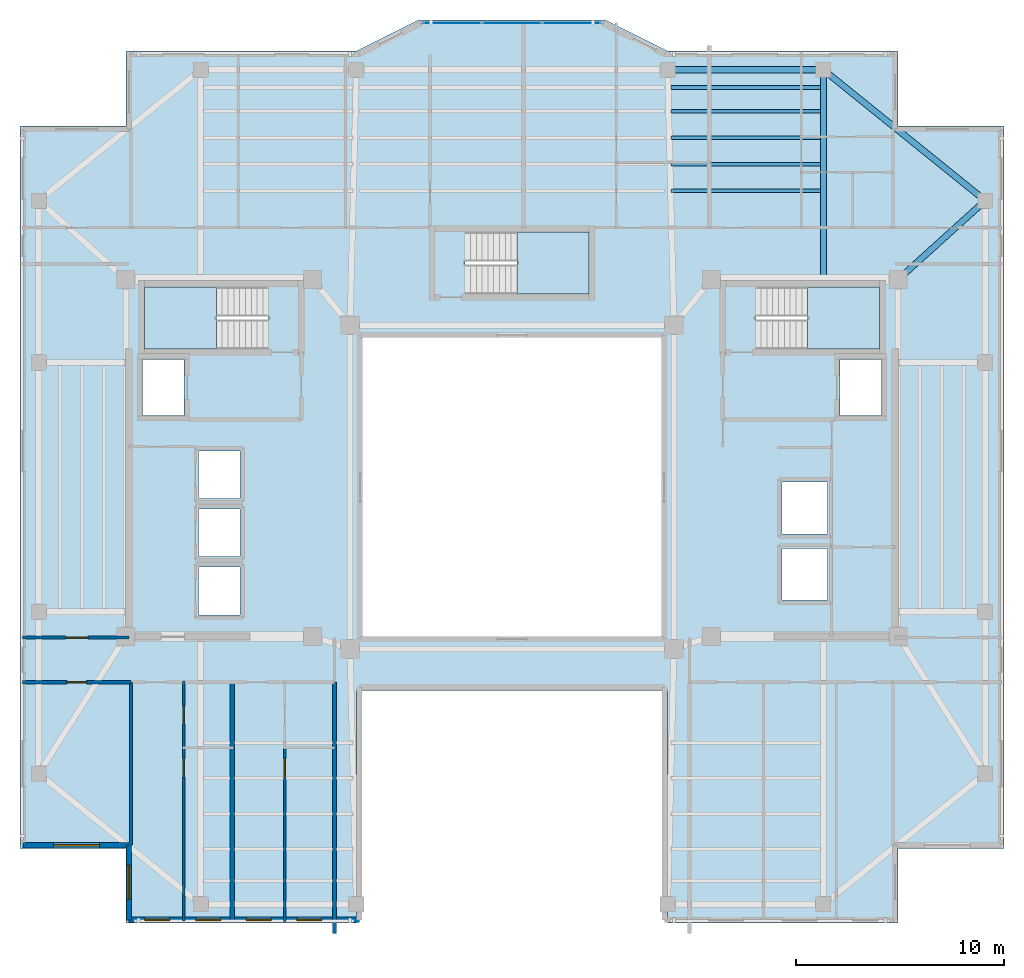
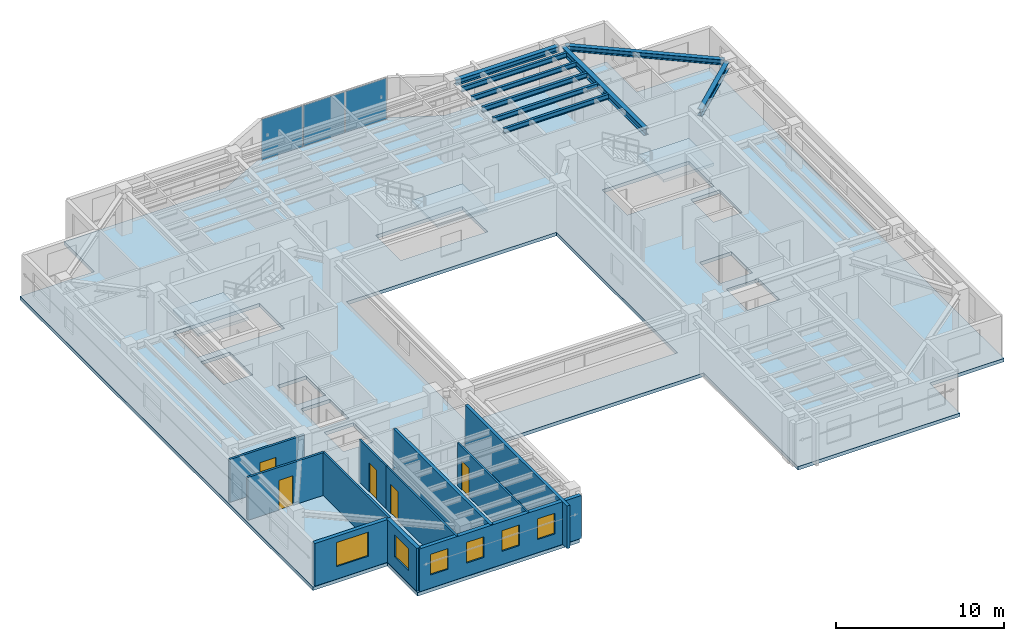
# One storey, part 3 of 11: 11 walls, 9 beams, 6 windows, 5 doors, 4 slabs, 3 plates, 11 openings, 4 elements without a shape of their own.
"""IFC4 building model written with IfcOpenShell, lengths in metres."""

from ifc_helpers import new_model, si_unit, direction, frame, frame_2d, origin, origin_2d, place, context, subcontext, project, spatial, polyline, rectangle, i_section, outline, extrude, material, layer, layer_set, material_profile, profile_set, type_object, element, fill, aggregate, save


model = new_model("IFC4")

# Units and contexts
model_context = context("Model", 3, precision=1e-05, world=origin(), true_north=direction((0.0, 1.0)))
body_context = subcontext(model_context, "Body", "Model", "MODEL_VIEW")
ifc_project = project(units=[si_unit("LENGTHUNIT", "METRE"), si_unit("AREAUNIT", "SQUARE_METRE"), si_unit("VOLUMEUNIT", "CUBIC_METRE"), si_unit("PLANEANGLEUNIT", "RADIAN"), si_unit("MASSUNIT", "GRAM", prefix="KILO")], contexts=[model_context])

# Site, building, storey
site_placement = place(None, origin())
site = spatial("IfcSite", under=ifc_project, at=site_placement, CompositionType="ELEMENT")
building_placement = place(site_placement, origin())
building = spatial("IfcBuilding", under=site, at=building_placement, Name="Tarnavaz Court Tower", CompositionType="ELEMENT")
storey_placement = place(building_placement, frame((0.0, 0.0, 213.699951171875)))
storey = spatial("IfcBuildingStorey", under=building, at=storey_placement, Name="L58", CompositionType="ELEMENT", Elevation=213.699951171875)

# Beams
ifc_material_1 = material(Name="Steel S355", Category="steel")
ifc_material_profile_1 = material_profile(ifc_material_1, i_section(OverallWidth=0.300048828125, OverallDepth=0.5, WebThickness=0.014404296875, FlangeThickness=0.028076171875, FilletRadius=0.027099609375, at=origin_2d()), Name="HEB 500")
ifc_profile_set_1 = profile_set([ifc_material_profile_1], Name="Steel S355")
beam_type_1 = type_object("IfcBeamType", Name="BM-G-HEB500", PredefinedType="USERDEFINED", material=ifc_profile_set_1)
beam_1_placement = place(storey_placement, frame((15.0, 10.0400390625, 2.85009765625), z_axis=(0.0, 1.0, 0.0), x_axis=(-1.0, 0.0, 0.0)))
element("IfcBeam", 1, at=beam_1_placement, inside=storey, type_object=beam_type_1, Name="L58 Beam RG-04", ObjectType="GIRDER", PredefinedType="USERDEFINED", context=body_context, shape_type="SweptSolid", body=[
    extrude(i_section(OverallWidth=0.300048828125, OverallDepth=0.5, WebThickness=0.014404296875, FlangeThickness=0.028076171875, FilletRadius=0.027099609375, at=origin_2d()), origin(), (0.0, 0.0, 1.0), 9.83984375),
])
beam_2_placement = place(storey_placement, frame((18.76318359375, 10.147705078125, 2.85009765625), z_axis=(0.741555708494, 0.670891296113, 0.0), x_axis=(-0.670891296113, 0.741555708494, 0.0)))
element("IfcBeam", 2, at=beam_2_placement, inside=storey, type_object=beam_type_1, Name="L58 Beam RG-12", ObjectType="GIRDER", PredefinedType="USERDEFINED", context=body_context, shape_type="SweptSolid", body=[
    extrude(i_section(OverallWidth=0.300048828125, OverallDepth=0.5, WebThickness=0.014404296875, FlangeThickness=0.028076171875, FilletRadius=0.027099609375, at=origin_2d()), origin(), (0.0, 0.0, 1.0), 5.223876953125),
])
ifc_material_profile_2 = material_profile(ifc_material_1, i_section(OverallWidth=0.169921875, OverallDepth=0.360107421875, WebThickness=0.008056640625, FlangeThickness=0.0126953125, FilletRadius=0.01806640625, at=origin_2d()), Name="IPE 360")
ifc_profile_set_2 = profile_set([ifc_material_profile_2], Name="Steel S355")
beam_type_2 = type_object("IfcBeamType", Name="BM-J-IPE360", PredefinedType="JOIST", material=ifc_profile_set_2)
for number, where, z_axis, x_axis, name in (
    (3, (7.64990234375, 14.278076171875, 2.920166015625), (1.0, 0.0, 0.0), (0.0, 1.0, 0.0), "L58 Beam JN1-3"),
    (4, (7.64990234375, 15.555908203125, 2.920166015625), (1.0, 0.0, 0.0), (0.0, 1.0, 0.0), "L58 Beam JN2-3"),
    (5, (7.64990234375, 16.833984375, 2.920166015625), (1.0, 0.0, 0.0), (0.0, 1.0, 0.0), "L58 Beam JN3-3"),
    (6, (7.64990234375, 18.112060546875, 2.920166015625), (1.0, 0.0, 0.0), (0.0, 1.0, 0.0), "L58 Beam JN4-3"),
    (7, (7.64990234375, 19.248046875, 2.920166015625), (1.0, 0.0, 0.0), (0.0, 1.0, 0.0), "L58 Beam JN5-3"),
):
    element("IfcBeam", number, at=place(storey_placement, frame(where, z_axis=z_axis, x_axis=x_axis)), inside=storey, type_object=beam_type_2, Name=name, PredefinedType="JOIST", context=body_context, shape_type="SweptSolid", body=[
        extrude(i_section(OverallWidth=0.169921875, OverallDepth=0.360107421875, WebThickness=0.008056640625, FlangeThickness=0.0126953125, FilletRadius=0.01806640625, at=origin_2d()), origin(), (0.0, 0.0, 1.0), 7.2001953125),
    ])
ifc_material_profile_3 = material_profile(ifc_material_1, i_section(OverallWidth=0.300048828125, OverallDepth=0.389892578125, WebThickness=0.010986328125, FlangeThickness=0.01904296875, FilletRadius=0.027099609375, at=origin_2d()), Name="HEA 400")
ifc_profile_set_3 = profile_set([ifc_material_profile_3], Name="Steel S355")
beam_type_3 = type_object("IfcBeamType", Name="BM-SP-HEA400", PredefinedType="BEAM", material=ifc_profile_set_3)
beam_3_placement = place(storey_placement, frame((7.719970703125, 20.10009765625, 2.905029296875), z_axis=(1.0, 0.0, 0.0), x_axis=(0.0, 1.0, 0.0)))
element("IfcBeam", 8, at=beam_3_placement, inside=storey, type_object=beam_type_3, Name="L58 Beam PR-PN-3-PN-4", PredefinedType="BEAM", context=body_context, shape_type="SweptSolid", body=[
    extrude(i_section(OverallWidth=0.300048828125, OverallDepth=0.389892578125, WebThickness=0.010986328125, FlangeThickness=0.01904296875, FilletRadius=0.027099609375, at=origin_2d()), origin(), (0.0, 0.0, 1.0), 7.06005859375),
])
beam_4_placement = place(storey_placement, frame((15.171142578125, 19.9619140625, 2.905029296875), z_axis=(0.777935913531, -0.628343627674, 0.0), x_axis=(0.628343627674, 0.777935913531, 0.0)))
element("IfcBeam", 9, at=beam_4_placement, inside=storey, type_object=beam_type_3, Name="L58 Beam PR-PN-4-PE-4", PredefinedType="BEAM", context=body_context, shape_type="SweptSolid", body=[
    extrude(i_section(OverallWidth=0.300048828125, OverallDepth=0.389892578125, WebThickness=0.010986328125, FlangeThickness=0.01904296875, FilletRadius=0.027099609375, at=origin_2d()), origin(), (0.0, 0.0, 1.0), 9.586669921875),
])

# Curtain wall, plates
ifc_material_2 = material(Name="Anodised Aluminium 6063-T6 and Solar Low-E Glazing", Category="aluminium")
ifc_layer_1 = layer(ifc_material_2, 0.159912109375)
ifc_layer_set_1 = layer_set([ifc_layer_1], Name="Anodised Aluminium 6063-T6 and Solar Low-E Glazing")
curtain_wall_type = type_object("IfcCurtainWallType", Name="CW-SYS-03", PredefinedType="NOTDEFINED", material=ifc_layer_set_1)
curtain_wall_placement = place(storey_placement, origin())
curtain_wall = element("IfcCurtainWall", 10, at=curtain_wall_placement, inside=storey, type_object=curtain_wall_type, Name="L58 Iwan Prow Curtain Wall 7", PredefinedType="NOTDEFINED")
ifc_material_3 = material(Name="Double-Glazed Solar Low-E Glass", Category="glass")
ifc_layer_2 = layer(ifc_material_3, 0.028076171875)
ifc_layer_set_2 = layer_set([ifc_layer_2], Name="Double-Glazed Solar Low-E Glass")
plate_type = type_object("IfcPlateType", Name="CW-PAN-GLZ28", PredefinedType="CURTAIN_PANEL", material=ifc_layer_set_2)
plate_1_placement = place(storey_placement, frame((-2.88134765625, 22.35009765625, 0.06494140625), z_axis=(0.0, 0.0, 1.0), x_axis=(1.0, 0.0, 0.0)))
plate_1 = element("IfcPlate", 11, at=plate_1_placement, type_object=plate_type, Name="CW panel 1.1", PredefinedType="CURTAIN_PANEL", context=body_context, shape_type="SweptSolid", body=[
    extrude(rectangle(XDim=2.78759765625, YDim=0.028076171875, at=origin_2d()), origin(), (0.0, 0.0, 1.0), 2.969970703125),
])
plate_2_placement = place(storey_placement, frame((0.0, 22.35009765625, 0.06494140625), z_axis=(0.0, 0.0, 1.0), x_axis=(1.0, 0.0, 0.0)))
plate_2 = element("IfcPlate", 12, at=plate_2_placement, type_object=plate_type, Name="CW panel 2.1", PredefinedType="CURTAIN_PANEL", context=body_context, shape_type="SweptSolid", body=[
    extrude(rectangle(XDim=2.824951171875, YDim=0.028076171875, at=origin_2d()), origin(), (0.0, 0.0, 1.0), 2.969970703125),
])
plate_3_placement = place(storey_placement, frame((2.88134765625, 22.35009765625, 0.06494140625), z_axis=(0.0, 0.0, 1.0), x_axis=(1.0, 0.0, 0.0)))
plate_3 = element("IfcPlate", 13, at=plate_3_placement, type_object=plate_type, Name="CW panel 3.1", PredefinedType="CURTAIN_PANEL", context=body_context, shape_type="SweptSolid", body=[
    extrude(rectangle(XDim=2.78759765625, YDim=0.028076171875, at=origin_2d()), origin(), (0.0, 0.0, 1.0), 2.969970703125),
])
aggregate(curtain_wall, [plate_1, plate_2, plate_3])

# Stair, slab
ifc_material_4 = material(Name="Concrete C40/50", Category="concrete")
stair_type = type_object("IfcStairType", Name="ST-TWR-20R", PredefinedType="HALF_TURN_STAIR", material=ifc_material_4)
stair_1_placement = place(storey_placement, origin())
stair_1 = element("IfcStair", 14, at=stair_1_placement, inside=storey, type_object=stair_type, Name="L58 West Core Pressurized Exit Stair ST-W1", PredefinedType="HALF_TURN_STAIR")
ifc_layer_3 = layer(ifc_material_4, 0.199951171875)
ifc_layer_set_3 = layer_set([ifc_layer_3], Name="Concrete C40/50")
slab_type_1 = type_object("IfcSlabType", Name="SL-LAND-200", PredefinedType="LANDING", material=ifc_layer_set_3)
slab_1_placement = place(storey_placement, frame((0.0, 0.0, 1.47509765625)))
slab_1 = element("IfcSlab", 15, at=slab_1_placement, type_object=slab_type_1, Name="ST-W1 landing 1", PredefinedType="LANDING", context=body_context, shape_type="SweptSolid", body=[
    extrude(outline(polyline([(-14.239990234375, 9.639892578125), (-17.699951171875, 9.639892578125), (-17.699951171875, 6.64990234375), (-14.239990234375, 6.64990234375), (-14.239990234375, 9.639892578125)])), origin(), (0.0, 0.0, 1.0), 0.199951171875),
])
aggregate(stair_1, [slab_1])

stair_2_placement = place(storey_placement, origin())
stair_2 = element("IfcStair", 16, at=stair_2_placement, inside=storey, type_object=stair_type, Name="L58 East Core Pressurized Exit Stair ST-E1", PredefinedType="HALF_TURN_STAIR")
slab_2_placement = place(storey_placement, frame((0.0, 0.0, 1.47509765625)))
slab_2 = element("IfcSlab", 17, at=slab_2_placement, type_object=slab_type_1, Name="ST-E1 landing 1", PredefinedType="LANDING", context=body_context, shape_type="SweptSolid", body=[
    extrude(outline(polyline([(14.239990234375, 6.64990234375), (17.699951171875, 6.64990234375), (17.699951171875, 9.639892578125), (14.239990234375, 9.639892578125), (14.239990234375, 6.64990234375)])), origin(), (0.0, 0.0, 1.0), 0.199951171875),
])
aggregate(stair_2, [slab_2])

stair_3_placement = place(storey_placement, origin())
stair_3 = element("IfcStair", 18, at=stair_3_placement, inside=storey, type_object=stair_type, Name="L58 North Ring Pressurized Exit Stair ST-N1", PredefinedType="HALF_TURN_STAIR")
slab_3_placement = place(storey_placement, frame((0.0, 0.0, 1.47509765625)))
slab_3 = element("IfcSlab", 19, at=slab_3_placement, type_object=slab_type_1, Name="ST-N1 landing 1", PredefinedType="LANDING", context=body_context, shape_type="SweptSolid", body=[
    extrude(outline(polyline([(0.239990234375, 9.300048828125), (3.699951171875, 9.300048828125), (3.699951171875, 12.2900390625), (0.239990234375, 12.2900390625), (0.239990234375, 9.300048828125)])), origin(), (0.0, 0.0, 1.0), 0.199951171875),
])
aggregate(stair_3, [slab_3])

# Slab
ifc_layer_4 = layer(ifc_material_4, 0.25)
ifc_layer_set_4 = layer_set([ifc_layer_4], Name="Concrete C40/50")
slab_type_2 = type_object("IfcSlabType", Name="SL-RES-250", PredefinedType="FLOOR", material=ifc_layer_set_4)
slab_4_placement = place(storey_placement, frame((0.0, 0.0, -0.25)))
element("IfcSlab", 20, at=slab_4_placement, inside=storey, type_object=slab_type_2, Name="L58 Structural Floor Slab", PredefinedType="FLOOR", context=body_context, shape_type="SweptSolid", body=[
    extrude(outline(polyline([(-18.60009765625, -21.0), (-7.5, -21.0), (-7.5, -9.800048828125), (7.5, -9.800048828125), (7.5, -21.0), (18.60009765625, -21.0), (18.60009765625, -17.39990234375), (23.699951171875, -17.39990234375), (23.699951171875, 17.39990234375), (18.60009765625, 17.39990234375), (18.60009765625, 21.0), (7.5, 21.0), (4.5, 22.5), (-4.5, 22.5), (-7.5, 21.0), (-18.60009765625, 21.0), (-18.60009765625, 17.39990234375), (-23.699951171875, 17.39990234375), (-23.699951171875, -17.39990234375), (-18.60009765625, -17.39990234375), (-18.60009765625, -21.0)]), holes=[polyline([(-7.199951171875, -7.199951171875), (7.199951171875, -7.199951171875), (7.199951171875, 7.199951171875), (-7.199951171875, 7.199951171875), (-7.199951171875, -7.199951171875)]), polyline([(-11.7451171875, 9.639892578125), (-17.699951171875, 9.639892578125), (-17.699951171875, 6.64990234375), (-11.7451171875, 6.64990234375), (-11.7451171875, 9.639892578125)]), polyline([(11.7451171875, 6.64990234375), (17.699951171875, 6.64990234375), (17.699951171875, 9.639892578125), (11.7451171875, 9.639892578125), (11.7451171875, 6.64990234375)]), polyline([(-2.2548828125, 9.300048828125), (3.699951171875, 9.300048828125), (3.699951171875, 12.2900390625), (-2.2548828125, 12.2900390625), (-2.2548828125, 9.300048828125)]), polyline([(-17.800048828125, 3.449951171875), (-15.800048828125, 3.449951171875), (-15.800048828125, 6.14990234375), (-17.800048828125, 6.14990234375), (-17.800048828125, 3.449951171875)]), polyline([(-15.10009765625, -6.14990234375), (-13.10009765625, -6.14990234375), (-13.10009765625, -3.85009765625), (-15.10009765625, -3.85009765625), (-15.10009765625, -6.14990234375)]), polyline([(-15.10009765625, -3.35009765625), (-13.10009765625, -3.35009765625), (-13.10009765625, -1.050048828125), (-15.10009765625, -1.050048828125), (-15.10009765625, -3.35009765625)]), polyline([(-15.10009765625, -0.550048828125), (-13.10009765625, -0.550048828125), (-13.10009765625, 1.75), (-15.10009765625, 1.75), (-15.10009765625, -0.550048828125)]), polyline([(15.800048828125, 3.449951171875), (17.800048828125, 3.449951171875), (17.800048828125, 6.14990234375), (15.800048828125, 6.14990234375), (15.800048828125, 3.449951171875)]), polyline([(13.0, -5.449951171875), (15.199951171875, -5.449951171875), (15.199951171875, -2.949951171875), (13.0, -2.949951171875), (13.0, -5.449951171875)]), polyline([(13.0, -2.25), (15.199951171875, -2.25), (15.199951171875, 0.25), (13.0, 0.25), (13.0, -2.25)])]), origin(), (0.0, 0.0, 1.0), 0.25),
])

# Wall, opening, window
ifc_material_5 = material(Name="Precast Concrete C40/50", Category="concrete")
ifc_layer_5 = layer(ifc_material_5, 0.260009765625)
ifc_layer_set_5 = layer_set([ifc_layer_5], Name="Precast Concrete C40/50")
wall_type_1 = type_object("IfcWallType", Name="WL-EXT-260", PredefinedType="SOLIDWALL", material=ifc_layer_set_5)
wall_1_placement = place(storey_placement, frame((-18.449951171875, -17.25, 0.0), z_axis=(0.0, 0.0, 1.0), x_axis=(-1.0, 0.0, 0.0)))
wall_1 = element("IfcWall", 21, at=wall_1_placement, inside=storey, type_object=wall_type_1, Name="L58 Exterior Terracotta Facade Wall 01", PredefinedType="SOLIDWALL", context=body_context, shape_type="SweptSolid", body=[
    extrude(rectangle(XDim=5.10009765625, YDim=0.260009765625, at=frame_2d((2.550048828125, 0.0))), origin(), (0.0, 0.0, 1.0), 3.10009765625),
])
opening_1_placement = place(wall_1_placement, frame((1.425048828125, 0.0, 0.89990234375)))
opening_1 = element("IfcOpeningElement", 22, at=opening_1_placement, cuts=wall_1, Name="Opening W07", PredefinedType="OPENING", context=body_context, shape_type="SweptSolid", body=[
    extrude(rectangle(XDim=2.199951171875, YDim=1.75, at=frame_2d((1.10009765625, 0.875))), frame((0.0, 0.139892578125, 0.0), z_axis=(0.0, -1.0, 0.0), x_axis=(1.0, 0.0, 0.0)), (0.0, 0.0, 1.0), 0.280029296875),
])
window_type_1 = type_object("IfcWindowType", Name="WN-APT-2200", PartitioningType="TRIPLE_PANEL_VERTICAL", PredefinedType="WINDOW", material=ifc_material_3)
window_1_placement = place(opening_1_placement, origin())
window_1 = element("IfcWindow", 23, at=window_1_placement, inside=storey, type_object=window_type_1, Name="L58 South-West Corner Reading Room Window", OverallHeight=1.75, OverallWidth=2.199951171875, PartitioningType="SINGLE_PANEL", PredefinedType="WINDOW", context=body_context, shape_type="SweptSolid", body=[
    extrude(rectangle(XDim=2.199951171875, YDim=1.75, at=frame_2d((1.10009765625, 0.875))), frame((0.0, 0.030029296875, 0.0), z_axis=(0.0, -1.0, 0.0), x_axis=(1.0, 0.0, 0.0)), (0.0, 0.0, 1.0), 0.06005859375),
])
fill(opening_1, window_1)

# Wall, openings, windows
wall_2_placement = place(storey_placement, frame((-7.35009765625, -20.85009765625, 0.0), z_axis=(0.0, 0.0, 1.0), x_axis=(-1.0, 0.0, 0.0)))
wall_2 = element("IfcWall", 24, at=wall_2_placement, inside=storey, type_object=wall_type_1, Name="L58 Exterior Terracotta Facade Wall 19", PredefinedType="SOLIDWALL", context=body_context, shape_type="SweptSolid", body=[
    extrude(rectangle(XDim=11.099853515625, YDim=0.260009765625, at=frame_2d((5.5498046875, 0.0))), origin(), (0.0, 0.0, 1.0), 3.10009765625),
])
opening_2_placement = place(wall_2_placement, frame((1.810791015625, 0.0, 0.949951171875)))
opening_2 = element("IfcOpeningElement", 25, at=opening_2_placement, cuts=wall_2, Name="Opening W05", PredefinedType="OPENING", context=body_context, shape_type="SweptSolid", body=[
    extrude(rectangle(XDim=1.199951171875, YDim=1.5, at=frame_2d((0.60009765625, 0.75))), frame((0.0, 0.139892578125, 0.0), z_axis=(0.0, -1.0, 0.0), x_axis=(1.0, 0.0, 0.0)), (0.0, 0.0, 1.0), 0.280029296875),
])
opening_3_placement = place(wall_2_placement, frame((4.246826171875, 0.0, 0.949951171875)))
opening_3 = element("IfcOpeningElement", 26, at=opening_3_placement, cuts=wall_2, Name="Opening W05", PredefinedType="OPENING", context=body_context, shape_type="SweptSolid", body=[
    extrude(rectangle(XDim=1.199951171875, YDim=1.5, at=frame_2d((0.60009765625, 0.75))), frame((0.0, 0.139892578125, 0.0), z_axis=(0.0, -1.0, 0.0), x_axis=(1.0, 0.0, 0.0)), (0.0, 0.0, 1.0), 0.280029296875),
])
opening_4_placement = place(wall_2_placement, frame((6.682861328125, 0.0, 0.949951171875)))
opening_4 = element("IfcOpeningElement", 27, at=opening_4_placement, cuts=wall_2, Name="Opening W05", PredefinedType="OPENING", context=body_context, shape_type="SweptSolid", body=[
    extrude(rectangle(XDim=1.199951171875, YDim=1.5, at=frame_2d((0.60009765625, 0.75))), frame((0.0, 0.139892578125, 0.0), z_axis=(0.0, -1.0, 0.0), x_axis=(1.0, 0.0, 0.0)), (0.0, 0.0, 1.0), 0.280029296875),
])
opening_5_placement = place(wall_2_placement, frame((9.143798828125, 0.0, 0.949951171875)))
opening_5 = element("IfcOpeningElement", 28, at=opening_5_placement, cuts=wall_2, Name="Opening W05", PredefinedType="OPENING", context=body_context, shape_type="SweptSolid", body=[
    extrude(rectangle(XDim=1.199951171875, YDim=1.5, at=frame_2d((0.60009765625, 0.75))), frame((0.0, 0.139892578125, 0.0), z_axis=(0.0, -1.0, 0.0), x_axis=(1.0, 0.0, 0.0)), (0.0, 0.0, 1.0), 0.280029296875),
])
window_type_2 = type_object("IfcWindowType", Name="WN-APT-1200", PartitioningType="SINGLE_PANEL", PredefinedType="WINDOW", material=ifc_material_3)
window_2_placement = place(opening_2_placement, origin())
window_2 = element("IfcWindow", 29, at=window_2_placement, inside=storey, type_object=window_type_2, Name="L58 Flat 04 Kitchen Window", OverallHeight=1.5, OverallWidth=1.199951171875, PartitioningType="SINGLE_PANEL", PredefinedType="WINDOW", context=body_context, shape_type="SweptSolid", body=[
    extrude(rectangle(XDim=1.199951171875, YDim=1.5, at=frame_2d((0.60009765625, 0.75))), frame((0.0, 0.030029296875, 0.0), z_axis=(0.0, -1.0, 0.0), x_axis=(1.0, 0.0, 0.0)), (0.0, 0.0, 1.0), 0.06005859375),
])
fill(opening_2, window_2)
window_3_placement = place(opening_3_placement, origin())
window_3 = element("IfcWindow", 30, at=window_3_placement, inside=storey, type_object=window_type_2, Name="L58 Flat 04 Studio Living and Sleeping Room Window", OverallHeight=1.5, OverallWidth=1.199951171875, PartitioningType="SINGLE_PANEL", PredefinedType="WINDOW", context=body_context, shape_type="SweptSolid", body=[
    extrude(rectangle(XDim=1.199951171875, YDim=1.5, at=frame_2d((0.60009765625, 0.75))), frame((0.0, 0.030029296875, 0.0), z_axis=(0.0, -1.0, 0.0), x_axis=(1.0, 0.0, 0.0)), (0.0, 0.0, 1.0), 0.06005859375),
])
fill(opening_3, window_3)
window_4_placement = place(opening_4_placement, origin())
window_4 = element("IfcWindow", 31, at=window_4_placement, inside=storey, type_object=window_type_2, Name="L58 Flat 03 Kitchen Window", OverallHeight=1.5, OverallWidth=1.199951171875, PartitioningType="SINGLE_PANEL", PredefinedType="WINDOW", context=body_context, shape_type="SweptSolid", body=[
    extrude(rectangle(XDim=1.199951171875, YDim=1.5, at=frame_2d((0.60009765625, 0.75))), frame((0.0, 0.030029296875, 0.0), z_axis=(0.0, -1.0, 0.0), x_axis=(1.0, 0.0, 0.0)), (0.0, 0.0, 1.0), 0.06005859375),
])
fill(opening_4, window_4)
window_5_placement = place(opening_5_placement, origin())
window_5 = element("IfcWindow", 32, at=window_5_placement, inside=storey, type_object=window_type_2, Name="L58 Flat 03 Studio Living and Sleeping Room Window", OverallHeight=1.5, OverallWidth=1.199951171875, PartitioningType="SINGLE_PANEL", PredefinedType="WINDOW", context=body_context, shape_type="SweptSolid", body=[
    extrude(rectangle(XDim=1.199951171875, YDim=1.5, at=frame_2d((0.60009765625, 0.75))), frame((0.0, 0.030029296875, 0.0), z_axis=(0.0, -1.0, 0.0), x_axis=(1.0, 0.0, 0.0)), (0.0, 0.0, 1.0), 0.06005859375),
])
fill(opening_5, window_5)

# Wall, opening, window
wall_3_placement = place(storey_placement, frame((-18.449951171875, -20.85009765625, 0.0), z_axis=(0.0, 0.0, 1.0), x_axis=(0.0, 1.0, 0.0)))
wall_3 = element("IfcWall", 33, at=wall_3_placement, inside=storey, type_object=wall_type_1, Name="L58 Exterior Terracotta Facade Wall 20", PredefinedType="SOLIDWALL", context=body_context, shape_type="SweptSolid", body=[
    extrude(rectangle(XDim=3.60009765625, YDim=0.260009765625, at=frame_2d((1.800048828125, 0.0))), origin(), (0.0, 0.0, 1.0), 3.10009765625),
])
opening_6_placement = place(wall_3_placement, frame((0.992431640625, 0.0, 0.89990234375)))
opening_6 = element("IfcOpeningElement", 34, at=opening_6_placement, cuts=wall_3, Name="Opening W02", PredefinedType="OPENING", context=body_context, shape_type="SweptSolid", body=[
    extrude(rectangle(XDim=1.64990234375, YDim=1.60009765625, at=frame_2d((0.824951171875, 0.800048828125))), frame((0.0, 0.139892578125, 0.0), z_axis=(0.0, -1.0, 0.0), x_axis=(1.0, 0.0, 0.0)), (0.0, 0.0, 1.0), 0.280029296875),
])
window_type_3 = type_object("IfcWindowType", Name="WN-APT-1650", PartitioningType="DOUBLE_PANEL_VERTICAL", PredefinedType="WINDOW", material=ifc_material_3)
window_6_placement = place(opening_6_placement, origin())
window_6 = element("IfcWindow", 35, at=window_6_placement, inside=storey, type_object=window_type_3, Name="L58 Flat 03 Studio Living and Sleeping Room Window", OverallHeight=1.60009765625, OverallWidth=1.64990234375, PartitioningType="SINGLE_PANEL", PredefinedType="WINDOW", context=body_context, shape_type="SweptSolid", body=[
    extrude(rectangle(XDim=1.64990234375, YDim=1.60009765625, at=frame_2d((0.824951171875, 0.800048828125))), frame((0.0, 0.030029296875, 0.0), z_axis=(0.0, -1.0, 0.0), x_axis=(1.0, 0.0, 0.0)), (0.0, 0.0, 1.0), 0.06005859375),
])
fill(opening_6, window_6)

# Wall, opening, door
ifc_material_6 = material(Name="Gypsum Fire-Board on Acoustic Metal Stud", Category="masonry")
ifc_layer_6 = layer(ifc_material_6, 0.14990234375)
ifc_layer_set_6 = layer_set([ifc_layer_6], Name="Gypsum Fire-Board on Acoustic Metal Stud")
wall_type_2 = type_object("IfcWallType", Name="WL-FIRE-150", PredefinedType="PARTITIONING", material=ifc_layer_set_6)
wall_4_placement = place(storey_placement, frame((-23.580078125, -7.25, 0.0), z_axis=(0.0, 0.0, 1.0), x_axis=(1.0, 0.0, 0.0)))
wall_4 = element("IfcWall", 36, at=wall_4_placement, inside=storey, type_object=wall_type_2, Name="L58 Interior Partition 084", PredefinedType="PARTITIONING", context=body_context, shape_type="SweptSolid", body=[
    extrude(rectangle(XDim=5.130126953125, YDim=0.14990234375, at=frame_2d((2.56494140625, 0.0))), origin(), (0.0, 0.0, 1.0), 3.10009765625),
])
opening_7_placement = place(wall_4_placement, frame((2.080078125, 0.0, 0.0)))
opening_7 = element("IfcOpeningElement", 37, at=opening_7_placement, cuts=wall_4, Name="Opening D12", PredefinedType="OPENING", context=body_context, shape_type="SweptSolid", body=[
    extrude(rectangle(XDim=1.080078125, YDim=2.14990234375, at=frame_2d((0.5400390625, 1.074951171875))), frame((0.0, 0.0849609375, 0.0), z_axis=(0.0, -1.0, 0.0), x_axis=(1.0, 0.0, 0.0)), (0.0, 0.0, 1.0), 0.169921875),
])
ifc_material_7 = material(Name="Engineered Oak Timber", Category="wood")
door_type_1 = type_object("IfcDoorType", Name="DR-INT-1100", OperationType="NOTDEFINED", PredefinedType="DOOR", material=ifc_material_7)
door_1_placement = place(opening_7_placement, origin())
door_1 = element("IfcDoor", 38, at=door_1_placement, inside=storey, type_object=door_type_1, Name="L58 West Meeting Lounge Door", OperationType="SINGLE_SWING_LEFT", OverallHeight=2.14990234375, OverallWidth=1.080078125, PredefinedType="DOOR", context=body_context, shape_type="SweptSolid", body=[
    extrude(rectangle(XDim=1.080078125, YDim=2.14990234375, at=frame_2d((0.5400390625, 1.074951171875))), frame((0.0, 0.02490234375, 0.0), z_axis=(0.0, -1.0, 0.0), x_axis=(1.0, 0.0, 0.0)), (0.0, 0.0, 1.0), 0.050048828125),
])
fill(opening_7, door_1)

wall_5_placement = place(storey_placement, frame((-23.580078125, -9.39990234375, 0.0), z_axis=(0.0, 0.0, 1.0), x_axis=(1.0, 0.0, 0.0)))
wall_5 = element("IfcWall", 39, at=wall_5_placement, inside=storey, type_object=wall_type_2, Name="L58 Interior Partition 094", PredefinedType="PARTITIONING", context=body_context, shape_type="SweptSolid", body=[
    extrude(rectangle(XDim=5.22998046875, YDim=0.14990234375, at=frame_2d((2.614990234375, 0.0))), origin(), (0.0, 0.0, 1.0), 3.10009765625),
])
opening_8_placement = place(wall_5_placement, frame((2.139892578125, 0.0, 0.0)))
opening_8 = element("IfcOpeningElement", 40, at=opening_8_placement, cuts=wall_5, Name="Opening D13", PredefinedType="OPENING", context=body_context, shape_type="SweptSolid", body=[
    extrude(rectangle(XDim=0.949951171875, YDim=2.14990234375, at=frame_2d((0.47509765625, 1.074951171875))), frame((0.0, 0.0849609375, 0.0), z_axis=(0.0, -1.0, 0.0), x_axis=(1.0, 0.0, 0.0)), (0.0, 0.0, 1.0), 0.169921875),
])
door_type_2 = type_object("IfcDoorType", Name="DR-INT-950", OperationType="NOTDEFINED", PredefinedType="DOOR", material=ifc_material_7)
door_2_placement = place(opening_8_placement, origin())
door_2 = element("IfcDoor", 41, at=door_2_placement, inside=storey, type_object=door_type_2, Name="L58 SW Reading Room Door", OperationType="SINGLE_SWING_LEFT", OverallHeight=2.14990234375, OverallWidth=0.949951171875, PredefinedType="DOOR", context=body_context, shape_type="SweptSolid", body=[
    extrude(rectangle(XDim=0.949951171875, YDim=2.14990234375, at=frame_2d((0.47509765625, 1.074951171875))), frame((0.0, 0.02490234375, 0.0), z_axis=(0.0, -1.0, 0.0), x_axis=(1.0, 0.0, 0.0)), (0.0, 0.0, 1.0), 0.050048828125),
])
fill(opening_8, door_2)

# Walls
ifc_material_8 = material(Name="Autoclaved Aerated Concrete Blockwork", Category="masonry")
ifc_layer_7 = layer(ifc_material_8, 0.199951171875)
ifc_layer_set_7 = layer_set([ifc_layer_7], Name="Autoclaved Aerated Concrete Blockwork")
wall_type_3 = type_object("IfcWallType", Name="WL-FIRE-200", PredefinedType="SOLIDWALL", material=ifc_layer_set_7)
wall_6_placement = place(storey_placement, frame((-13.47509765625, -20.89990234375, 0.0), z_axis=(0.0, 0.0, 1.0), x_axis=(0.0, 1.0, 0.0)))
element("IfcWall", 42, at=wall_6_placement, inside=storey, type_object=wall_type_3, Name="L58 Party Wall 073", PredefinedType="SOLIDWALL", context=body_context, shape_type="SweptSolid", body=[
    extrude(rectangle(XDim=11.5, YDim=0.199951171875, at=frame_2d((5.75, 0.0))), origin(), (0.0, 0.0, 1.0), 3.10009765625),
])
wall_7_placement = place(storey_placement, frame((-8.550048828125, -21.50390625, 0.0), z_axis=(0.0, 0.0, 1.0), x_axis=(0.0, 1.0, 0.0)))
element("IfcWall", 43, at=wall_7_placement, inside=storey, type_object=wall_type_3, Name="L58 Party Wall 082", PredefinedType="SOLIDWALL", context=body_context, shape_type="SweptSolid", body=[
    extrude(rectangle(XDim=12.10400390625, YDim=0.199951171875, at=frame_2d((6.052001953125, 0.0))), origin(), (0.0, 0.0, 1.0), 3.10009765625),
])

# Wall, opening, door
ifc_material_9 = material(Name="Moisture-Resistant Gypsum Board Partition", Category="masonry")
ifc_layer_8 = layer(ifc_material_9, 0.1201171875)
ifc_layer_set_8 = layer_set([ifc_layer_8], Name="Moisture-Resistant Gypsum Board Partition")
wall_type_4 = type_object("IfcWallType", Name="WL-PART-120", PredefinedType="PARTITIONING", material=ifc_layer_set_8)
wall_8_placement = place(storey_placement, frame((-15.81689453125, -20.89990234375, 0.0), z_axis=(0.0, 0.0, 1.0), x_axis=(0.0, 1.0, 0.0)))
wall_8 = element("IfcWall", 44, at=wall_8_placement, inside=storey, type_object=wall_type_4, Name="L58 Interior Partition 074", PredefinedType="PARTITIONING", context=body_context, shape_type="SweptSolid", body=[
    extrude(rectangle(XDim=8.33984375, YDim=0.1201171875, at=frame_2d((4.169921875, 0.0))), origin(), (0.0, 0.0, 1.0), 3.10009765625),
])
opening_9_placement = place(wall_8_placement, frame((6.93994140625, 0.0, 0.0)))
opening_9 = element("IfcOpeningElement", 45, at=opening_9_placement, cuts=wall_8, Name="Opening D14", PredefinedType="OPENING", context=body_context, shape_type="SweptSolid", body=[
    extrude(rectangle(XDim=0.8798828125, YDim=2.10009765625, at=frame_2d((0.43994140625, 1.050048828125))), frame((0.0, 0.070068359375, 0.0), z_axis=(0.0, -1.0, 0.0), x_axis=(1.0, 0.0, 0.0)), (0.0, 0.0, 1.0), 0.14013671875),
])
door_type_3 = type_object("IfcDoorType", Name="DR-INT-900", OperationType="NOTDEFINED", PredefinedType="DOOR", material=ifc_material_7)
door_3_placement = place(opening_9_placement, origin())
door_3 = element("IfcDoor", 46, at=door_3_placement, inside=storey, type_object=door_type_3, Name="L58 Flat 03 Kitchen Door", OperationType="SINGLE_SWING_LEFT", OverallHeight=2.10009765625, OverallWidth=0.8798828125, PredefinedType="DOOR", context=body_context, shape_type="SweptSolid", body=[
    extrude(rectangle(XDim=0.8798828125, YDim=2.10009765625, at=frame_2d((0.43994140625, 1.050048828125))), frame((0.0, 0.02490234375, 0.0), z_axis=(0.0, -1.0, 0.0), x_axis=(1.0, 0.0, 0.0)), (0.0, 0.0, 1.0), 0.050048828125),
])
fill(opening_9, door_3)

wall_9_placement = place(storey_placement, frame((-15.81689453125, -12.56005859375, 0.0), z_axis=(0.0, 0.0, 1.0), x_axis=(0.0, 1.0, 0.0)))
wall_9 = element("IfcWall", 47, at=wall_9_placement, inside=storey, type_object=wall_type_4, Name="L58 Interior Partition 075", PredefinedType="PARTITIONING", context=body_context, shape_type="SweptSolid", body=[
    extrude(rectangle(XDim=3.219970703125, YDim=0.1201171875, at=frame_2d((1.60986328125, 0.0))), origin(), (0.0, 0.0, 1.0), 3.10009765625),
])
opening_10_placement = place(wall_9_placement, frame((1.139892578125, 0.0, 0.0)))
opening_10 = element("IfcOpeningElement", 48, at=opening_10_placement, cuts=wall_9, Name="Opening D14", PredefinedType="OPENING", context=body_context, shape_type="SweptSolid", body=[
    extrude(rectangle(XDim=0.8798828125, YDim=2.10009765625, at=frame_2d((0.43994140625, 1.050048828125))), frame((0.0, 0.070068359375, 0.0), z_axis=(0.0, -1.0, 0.0), x_axis=(1.0, 0.0, 0.0)), (0.0, 0.0, 1.0), 0.14013671875),
])
door_4_placement = place(opening_10_placement, origin())
door_4 = element("IfcDoor", 49, at=door_4_placement, inside=storey, type_object=door_type_3, Name="L58 Flat 03 Bathroom Door", OperationType="SINGLE_SWING_RIGHT", OverallHeight=2.10009765625, OverallWidth=0.8798828125, PredefinedType="DOOR", context=body_context, shape_type="SweptSolid", body=[
    extrude(rectangle(XDim=0.8798828125, YDim=2.10009765625, at=frame_2d((0.43994140625, 1.050048828125))), frame((0.0, 0.02490234375, 0.0), z_axis=(0.0, -1.0, 0.0), x_axis=(1.0, 0.0, 0.0)), (0.0, 0.0, 1.0), 0.050048828125),
])
fill(opening_10, door_4)

wall_10_placement = place(storey_placement, frame((-10.94189453125, -20.9140625, 0.0), z_axis=(0.0, 0.0, 1.0), x_axis=(0.0, 1.0, 0.0)))
wall_10 = element("IfcWall", 50, at=wall_10_placement, inside=storey, type_object=wall_type_4, Name="L58 Interior Partition 077", PredefinedType="PARTITIONING", context=body_context, shape_type="SweptSolid", body=[
    extrude(rectangle(XDim=8.35400390625, YDim=0.1201171875, at=frame_2d((4.177001953125, 0.0))), origin(), (0.0, 0.0, 1.0), 3.10009765625),
])
opening_11_placement = place(wall_10_placement, frame((6.9541015625, 0.0, 0.0)))
opening_11 = element("IfcOpeningElement", 51, at=opening_11_placement, cuts=wall_10, Name="Opening D14", PredefinedType="OPENING", context=body_context, shape_type="SweptSolid", body=[
    extrude(rectangle(XDim=0.8798828125, YDim=2.10009765625, at=frame_2d((0.43994140625, 1.050048828125))), frame((0.0, 0.070068359375, 0.0), z_axis=(0.0, -1.0, 0.0), x_axis=(1.0, 0.0, 0.0)), (0.0, 0.0, 1.0), 0.14013671875),
])
door_5_placement = place(opening_11_placement, origin())
door_5 = element("IfcDoor", 52, at=door_5_placement, inside=storey, type_object=door_type_3, Name="L58 Flat 04 Kitchen Door", OperationType="SINGLE_SWING_RIGHT", OverallHeight=2.10009765625, OverallWidth=0.8798828125, PredefinedType="DOOR", context=body_context, shape_type="SweptSolid", body=[
    extrude(rectangle(XDim=0.8798828125, YDim=2.10009765625, at=frame_2d((0.43994140625, 1.050048828125))), frame((0.0, 0.02490234375, 0.0), z_axis=(0.0, -1.0, 0.0), x_axis=(1.0, 0.0, 0.0)), (0.0, 0.0, 1.0), 0.050048828125),
])
fill(opening_11, door_5)

# Wall
ifc_material_10 = material(Name="Gypsum Plasterboard Acoustic Partition", Category="masonry")
ifc_layer_9 = layer(ifc_material_10, 0.139892578125)
ifc_layer_set_9 = layer_set([ifc_layer_9], Name="Gypsum Plasterboard Acoustic Partition")
wall_type_5 = type_object("IfcWallType", Name="WL-PART-150", PredefinedType="PARTITIONING", material=ifc_layer_set_9)
wall_11_placement = place(storey_placement, frame((-18.35009765625, -17.25, 0.0), z_axis=(0.0, 0.0, 1.0), x_axis=(0.0, 1.0, 0.0)))
element("IfcWall", 53, at=wall_11_placement, inside=storey, type_object=wall_type_5, Name="L58 Interior Partition 088", PredefinedType="PARTITIONING", context=body_context, shape_type="SweptSolid", body=[
    extrude(rectangle(XDim=7.85009765625, YDim=0.139892578125, at=frame_2d((3.925048828125, 0.0))), origin(), (0.0, 0.0, 1.0), 3.10009765625),
])

save(model, "model.ifc")
